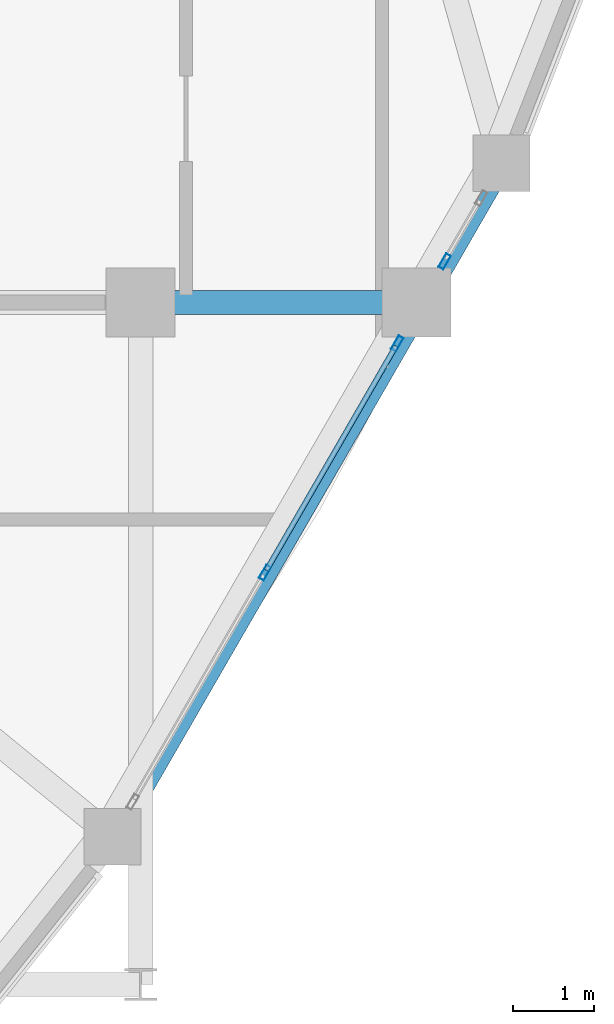
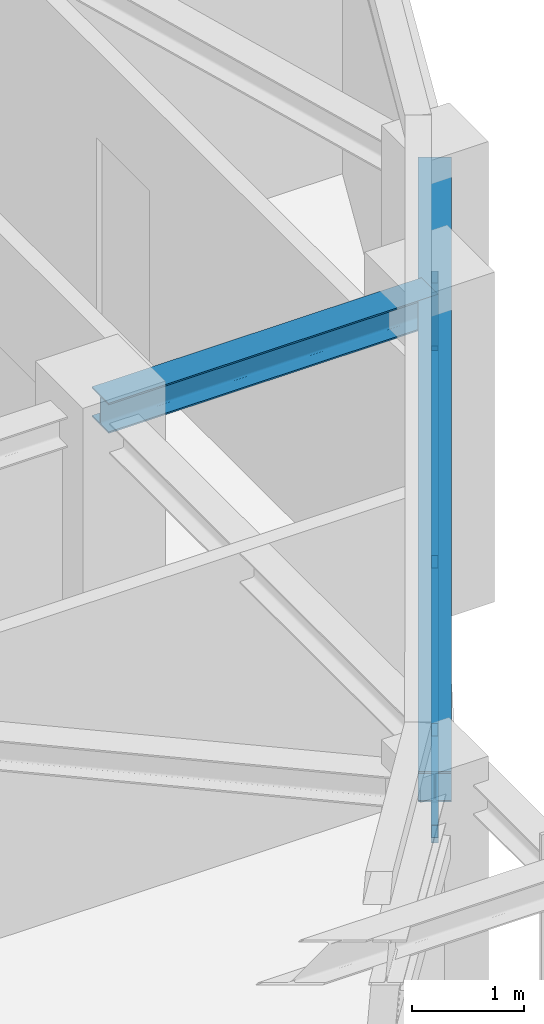
# One storey, part 4 of 13: 6 members, 2 beams, 2 elements without a shape of their own.
"""IFC4 building model written with IfcOpenShell, lengths in metres."""

from ifc_helpers import new_model, si_unit, derived_unit, direction, frame, origin, origin_2d, place, context, subcontext, project, spatial, hollow_rectangle, i_section, extrude, source, transform, mapped, material, layer, layer_set, material_profile, profile_set, type_object, element, aggregate, save


model = new_model("IFC4")

# Units and contexts
model_context = context("Model", 3, precision=1e-05, world=origin(), true_north=direction((0.0, 1.0)))
body_context = subcontext(model_context, "Body", "Model", "MODEL_VIEW")
ifc_project = project(units=[si_unit("LENGTHUNIT", "METRE"), si_unit("AREAUNIT", "SQUARE_METRE"), si_unit("VOLUMEUNIT", "CUBIC_METRE"), si_unit("PLANEANGLEUNIT", "RADIAN"), si_unit("MASSUNIT", "GRAM", prefix="KILO"), derived_unit("THERMALTRANSMITTANCEUNIT", [(si_unit("POWERUNIT", "WATT"), 1), (si_unit("LENGTHUNIT", "METRE"), -2), (si_unit("THERMODYNAMICTEMPERATUREUNIT", "KELVIN"), -1)])], contexts=[model_context])

# Site, building, storey
site_placement = place(None, origin())
site = spatial("IfcSite", under=ifc_project, at=site_placement, CompositionType="ELEMENT")
building_placement = place(site_placement, origin())
building = spatial("IfcBuilding", under=site, at=building_placement, Name="Korsvarv Bourse and Concert Hall", CompositionType="ELEMENT")
storey_placement = place(building_placement, frame((0.0, 0.0, 296.10009765625)))
storey = spatial("IfcBuildingStorey", under=building, at=storey_placement, Name="L77", CompositionType="ELEMENT", Elevation=296.10009765625)

# Beams
ifc_material_1 = material(Name="Steel S355", Category="steel")
ifc_material_profile_1 = material_profile(ifc_material_1, i_section(OverallWidth=0.300048828125, OverallDepth=0.330078125, WebThickness=0.009521484375, FlangeThickness=0.0166015625, FilletRadius=0.02099609375, at=origin_2d()), Name="HEA 340")
ifc_profile_set_1 = profile_set([ifc_material_profile_1], Name="Steel S355")
beam_type = type_object("IfcBeamType", Name="BM-HEA340", PredefinedType="BEAM", material=ifc_profile_set_1)
shared_shape_1 = source(origin(), body_context, "Body", "SweptSolid", [
    extrude(i_section(OverallWidth=0.300048828125, OverallDepth=0.330078125, WebThickness=0.009521484375, FlangeThickness=0.0166015625, FilletRadius=0.02099609375, at=origin_2d()), origin(), (0.0, 0.0, 1.0), 3.400146484375),
])
beam_1_placement = place(storey_placement, frame((44.39990234375, 32.39990234375, 3.1748046875), z_axis=(1.0, 0.0, 0.0), x_axis=(0.0, 1.0, 0.0)))
element("IfcBeam", 1, at=beam_1_placement, inside=storey, type_object=beam_type, Name="L77 beam B-12", PredefinedType="BEAM", context=body_context, shape_type="MappedRepresentation", body=[
    mapped(shared_shape_1, transform((0.0, 0.0, 0.0), scale=1.0)),
])
shared_shape_2 = source(origin(), body_context, "Body", "SweptSolid", [
    extrude(i_section(OverallWidth=0.300048828125, OverallDepth=0.330078125, WebThickness=0.009521484375, FlangeThickness=0.0166015625, FilletRadius=0.02099609375, at=origin_2d()), origin(), (0.0, 0.0, 1.0), 9.57958984375),
])
beam_2_placement = place(storey_placement, frame((44.0537109375, 25.8193359375, 3.1748046875), z_axis=(0.500001156458, 0.866024736102, 0.0), x_axis=(-0.866024736102, 0.500001156458, 0.0)))
element("IfcBeam", 2, at=beam_2_placement, inside=storey, type_object=beam_type, Name="L77 beam B-12", PredefinedType="BEAM", context=body_context, shape_type="MappedRepresentation", body=[
    mapped(shared_shape_2, transform((0.0, 0.0, 0.0), scale=1.0)),
])

# Curtain wall, members
ifc_material_2 = material(Name="Anodised aluminium and triple low-E glazing", Category="glass")
ifc_layer = layer(ifc_material_2, 0.22998046875)
ifc_layer_set = layer_set([ifc_layer], Name="Anodised aluminium and triple low-E glazing")
curtain_wall_type = type_object("IfcCurtainWallType", Name="CW-SYS-6", PredefinedType="NOTDEFINED", material=ifc_layer_set)
curtain_wall_1_placement = place(storey_placement, origin())
curtain_wall_1 = element("IfcCurtainWall", 3, at=curtain_wall_1_placement, inside=storey, type_object=curtain_wall_type, Name="L77 CW6 curtain wall CW-L77-CRN11-1", PredefinedType="NOTDEFINED")
ifc_material_3 = material(Name="Extruded aluminium EN AW-6063 T66", Category="aluminium")
ifc_material_profile_2 = material_profile(ifc_material_3, hollow_rectangle(XDim=0.070068359375, YDim=0.18994140625, WallThickness=0.0048828125, at=origin_2d()), Name="ALU-M 70x190")
ifc_profile_set_2 = profile_set([ifc_material_profile_2], Name="Extruded aluminium EN AW-6063 T66")
member_type_1 = type_object("IfcMemberType", Name="CWM-190", PredefinedType="MULLION", material=ifc_profile_set_2)
shared_shape_3 = source(origin(), body_context, "Body", "SweptSolid", [
    extrude(hollow_rectangle(XDim=0.070068359375, YDim=0.18994140625, WallThickness=0.0048828125, at=origin_2d()), origin(), (0.0, 0.0, 1.0), 3.010009765625),
])
member_1_placement = place(storey_placement, frame((45.931640625, 29.072265625, 0.0), z_axis=(0.0, 0.0, 1.0), x_axis=(-0.866020783041, 0.500008003278, 0.0)))
member_1 = element("IfcMember", 4, at=member_1_placement, type_object=member_type_1, Name="CW6 mullion 2", PredefinedType="MULLION", context=body_context, shape_type="MappedRepresentation", body=[
    mapped(shared_shape_3, transform((0.0, 0.0, 0.0), scale=1.0)),
])
member_2_placement = place(storey_placement, frame((47.561279296875, 31.894775390625, 0.0), z_axis=(0.0, 0.0, 1.0), x_axis=(-0.866020783041, 0.500008003278, 0.0)))
member_2 = element("IfcMember", 5, at=member_2_placement, type_object=member_type_1, Name="CW6 mullion 3", PredefinedType="MULLION", context=body_context, shape_type="MappedRepresentation", body=[
    mapped(shared_shape_3, transform((0.0, 0.0, 0.0), scale=1.0)),
])

# Curtain wall, member
curtain_wall_2_placement = place(storey_placement, origin())
curtain_wall_2 = element("IfcCurtainWall", 6, at=curtain_wall_2_placement, inside=storey, type_object=curtain_wall_type, Name="L77 CW6 curtain wall CW-L77-CRN11-2", PredefinedType="NOTDEFINED")
member_3_placement = place(storey_placement, frame((48.144775390625, 32.9052734375, 0.0), z_axis=(0.0, 0.0, 1.0), x_axis=(-0.865989998116, 0.500061319403, 0.0)))
member_3 = element("IfcMember", 7, at=member_3_placement, type_object=member_type_1, Name="CW6 mullion 1", PredefinedType="MULLION", context=body_context, shape_type="MappedRepresentation", body=[
    mapped(shared_shape_3, transform((0.0, 0.0, 0.0), scale=1.0)),
])
aggregate(curtain_wall_2, [member_3])

# Member
ifc_material_profile_3 = material_profile(ifc_material_3, hollow_rectangle(XDim=0.06494140625, YDim=0.139892578125, WallThickness=0.00390625, at=origin_2d()), Name="ALU-T 65x140")
ifc_profile_set_3 = profile_set([ifc_material_profile_3], Name="Extruded aluminium EN AW-6063 T66")
member_type_2 = type_object("IfcMemberType", Name="CWT-140", PredefinedType="USERDEFINED", material=ifc_profile_set_3)
shared_shape_4 = source(origin(), body_context, "Body", "SweptSolid", [
    extrude(hollow_rectangle(XDim=0.06494140625, YDim=0.139892578125, WallThickness=0.00390625, at=origin_2d()), origin(), (0.0, 0.0, 1.0), 3.18896484375),
])
member_4_placement = place(storey_placement, frame((45.94921875, 29.1025390625, 0.032470703125), z_axis=(0.500000789788, 0.8660249478, 0.0), x_axis=(-0.8660249478, 0.500000789788, 0.0)))
member_4 = element("IfcMember", 8, at=member_4_placement, type_object=member_type_2, Name="CW6 transom 2.1", ObjectType="TRANSOM", PredefinedType="USERDEFINED", context=body_context, shape_type="MappedRepresentation", body=[
    mapped(shared_shape_4, transform((0.0, 0.0, 0.0), scale=1.0)),
])

member_5_placement = place(storey_placement, frame((45.94921875, 29.1025390625, 1.143798828125), z_axis=(0.500000789788, 0.8660249478, 0.0), x_axis=(-0.8660249478, 0.500000789788, 0.0)))
member_5 = element("IfcMember", 9, at=member_5_placement, type_object=member_type_2, Name="CW6 transom 2.2", ObjectType="TRANSOM", PredefinedType="USERDEFINED", context=body_context, shape_type="MappedRepresentation", body=[
    mapped(shared_shape_4, transform((0.0, 0.0, 0.0), scale=1.0)),
])

member_6_placement = place(storey_placement, frame((45.94921875, 29.1025390625, 2.977294921875), z_axis=(0.500000789788, 0.8660249478, 0.0), x_axis=(-0.8660249478, 0.500000789788, 0.0)))
member_6 = element("IfcMember", 10, at=member_6_placement, type_object=member_type_2, Name="CW6 transom 2.3", ObjectType="TRANSOM", PredefinedType="USERDEFINED", context=body_context, shape_type="MappedRepresentation", body=[
    mapped(shared_shape_4, transform((0.0, 0.0, 0.0), scale=1.0)),
])

aggregate(curtain_wall_1, [member_1, member_2, member_4, member_5, member_6])

save(model, "model.ifc")
